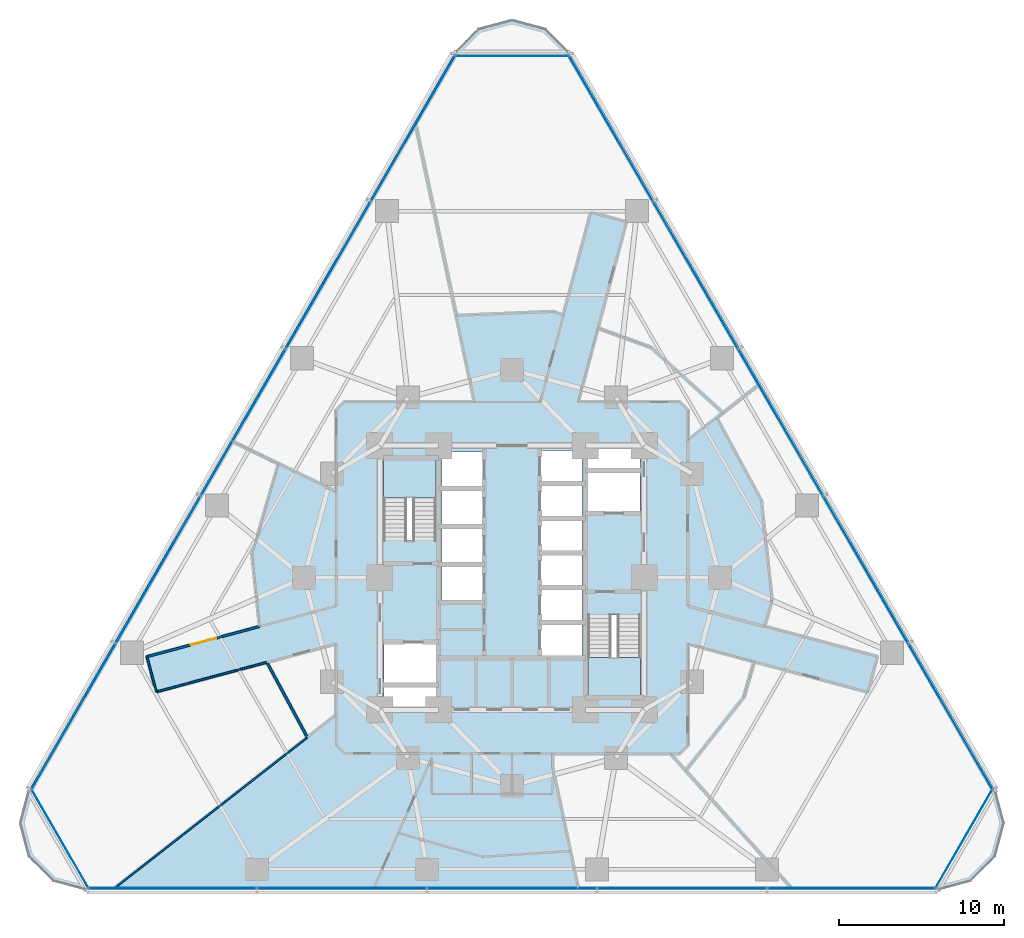
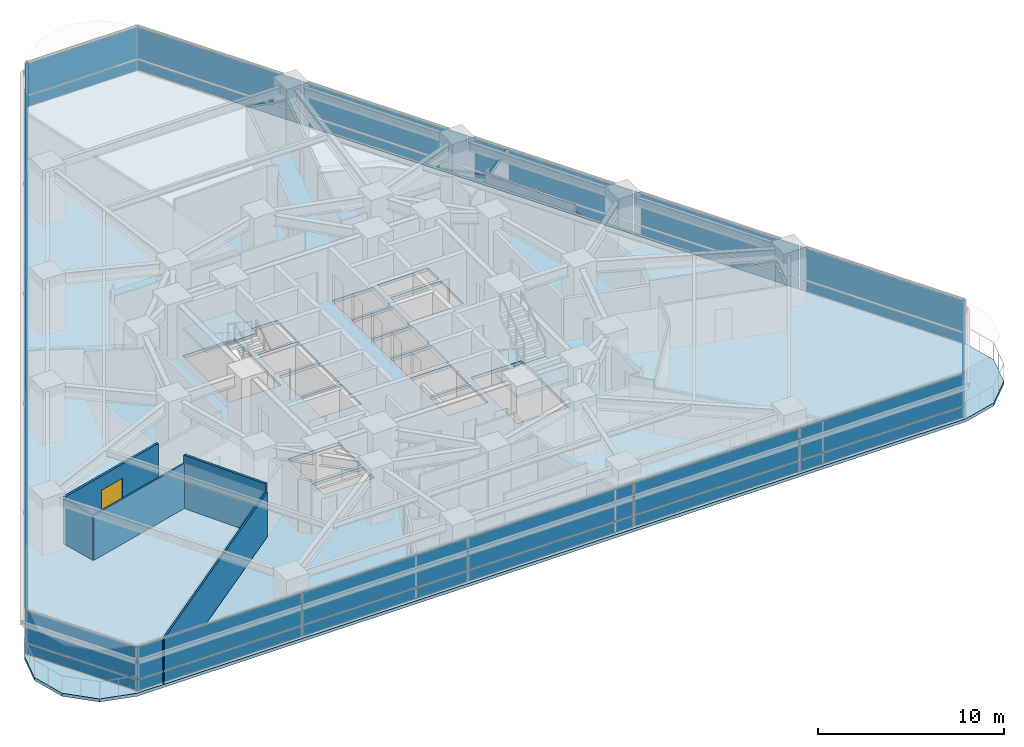
# One storey, part 7 of 15: 36 plates, 5 walls, 3 slabs, 1 door, 1 opening, 8 elements without a shape of their own.
"""IFC4 building model written with IfcOpenShell, lengths in metres."""

from ifc_helpers import new_model, si_unit, direction, frame, frame_2d, origin, origin_2d, place, context, subcontext, project, spatial, polyline, rectangle, outline, extrude, material, layer, layer_set, type_object, element, fill, aggregate, save


model = new_model("IFC4")

# Units and contexts
model_context = context("Model", 3, precision=1e-05, world=origin(), true_north=direction((0.0, 1.0)))
body_context = subcontext(model_context, "Body", "Model", "MODEL_VIEW")
ifc_project = project(units=[si_unit("LENGTHUNIT", "METRE"), si_unit("AREAUNIT", "SQUARE_METRE"), si_unit("VOLUMEUNIT", "CUBIC_METRE"), si_unit("PLANEANGLEUNIT", "RADIAN"), si_unit("MASSUNIT", "GRAM", prefix="KILO")], contexts=[model_context])

# Site, building, storey
site_placement = place(None, origin())
site = spatial("IfcSite", under=ifc_project, at=site_placement, CompositionType="ELEMENT")
building_placement = place(site_placement, origin())
building = spatial("IfcBuilding", under=site, at=building_placement, Name="Terralouvre Media Tower", CompositionType="ELEMENT")
storey_placement = place(building_placement, frame((0.0, 0.0, 48.199951171875)))
storey = spatial("IfcBuildingStorey", under=building, at=storey_placement, Name="L11", CompositionType="ELEMENT", Elevation=48.199951171875)

# Slab
ifc_material_1 = material(Name="Concrete C40/50", Category="concrete")
ifc_layer_1 = layer(ifc_material_1, 0.199951171875, Name="Composite Tower Floor Slab S-TYP200")
ifc_layer_set_1 = layer_set([ifc_layer_1], Name="Concrete C40/50")
slab_type_1 = type_object("IfcSlabType", Name="Composite Tower Floor Slab S-TYP200", PredefinedType="FLOOR", material=ifc_layer_set_1)
slab_1_placement = place(storey_placement, frame((0.0, 0.0, -0.199951171875)))
element("IfcSlab", 1, at=slab_1_placement, inside=storey, type_object=slab_type_1, Name="L11 Structural Floor Slab", PredefinedType="FLOOR", context=body_context, shape_type="SweptSolid", body=[
    extrude(outline(polyline([(-29.25732421875, -12.841796875), (-29.800048828125, -14.86669921875), (-29.25732421875, -16.891845703125), (-27.77490234375, -18.374267578125), (-25.75, -18.916748046875), (25.75, -18.916748046875), (27.77490234375, -18.374267578125), (29.25732421875, -16.891845703125), (29.800048828125, -14.86669921875), (29.25732421875, -12.841796875), (3.50732421875, 31.758544921875), (2.02490234375, 33.240966796875), (0.0, 33.783447265625), (-2.02490234375, 33.240966796875), (-3.50732421875, 31.758544921875), (-29.25732421875, -12.841796875)]), holes=[polyline([(-4.60009765625, -7.800048828125), (-7.75, -7.800048828125), (-7.75, -6.60009765625), (-4.60009765625, -6.60009765625), (-4.60009765625, -7.800048828125)]), polyline([(-4.60009765625, -6.39990234375), (-7.75, -6.39990234375), (-7.75, -3.949951171875), (-4.60009765625, -3.949951171875), (-4.60009765625, -6.39990234375)]), polyline([(-1.75, -1.419921875), (-4.25, -1.419921875), (-4.25, 0.719970703125), (-1.75, 0.719970703125), (-1.75, -1.419921875)]), polyline([(-1.75, 0.8798828125), (-4.25, 0.8798828125), (-4.25, 3.02001953125), (-1.75, 3.02001953125), (-1.75, 0.8798828125)]), polyline([(4.25, 1.580078125), (1.75, 1.580078125), (1.75, 3.52001953125), (4.25, 3.52001953125), (4.25, 1.580078125)]), polyline([(-1.75, 3.179931640625), (-4.25, 3.179931640625), (-4.25, 5.320068359375), (-1.75, 5.320068359375), (-1.75, 3.179931640625)]), polyline([(-4.60009765625, 2.2451171875), (-7.780029296875, 2.2451171875), (-7.780029296875, 7.260009765625), (-4.60009765625, 7.260009765625), (-4.60009765625, 2.2451171875)]), polyline([(-1.75, 5.47998046875), (-4.25, 5.47998046875), (-4.25, 7.6201171875), (-1.75, 7.6201171875), (-1.75, 5.47998046875)]), polyline([(4.60009765625, -2.2451171875), (7.780029296875, -2.2451171875), (7.780029296875, -7.260009765625), (4.60009765625, -7.260009765625), (4.60009765625, -2.2451171875)]), polyline([(4.25, -4.719970703125), (1.75, -4.719970703125), (1.75, -2.780029296875), (4.25, -2.780029296875), (4.25, -4.719970703125)]), polyline([(4.25, -2.6201171875), (1.75, -2.6201171875), (1.75, -0.679931640625), (4.25, -0.679931640625), (4.25, -2.6201171875)]), polyline([(4.25, -0.52001953125), (1.75, -0.52001953125), (1.75, 1.419921875), (4.25, 1.419921875), (4.25, -0.52001953125)]), polyline([(4.25, 3.679931640625), (1.75, 3.679931640625), (1.75, 5.6201171875), (4.25, 5.6201171875), (4.25, 3.679931640625)]), polyline([(7.75, 3.949951171875), (4.60009765625, 3.949951171875), (4.60009765625, 6.39990234375), (7.75, 6.39990234375), (7.75, 3.949951171875)]), polyline([(4.25, 5.780029296875), (1.75, 5.780029296875), (1.75, 7.719970703125), (4.25, 7.719970703125), (4.25, 5.780029296875)]), polyline([(7.75, 6.60009765625), (4.60009765625, 6.60009765625), (4.60009765625, 7.800048828125), (7.75, 7.800048828125), (7.75, 6.60009765625)])]), origin(), (0.0, 0.0, 1.0), 0.199951171875),
])

# Stair, slab
ifc_material_2 = material(Name="Concrete C45/55", Category="concrete")
stair_type_1 = type_object("IfcStairType", Name="Dogleg Stair Assembly ST-01", PredefinedType="HALF_TURN_STAIR", material=ifc_material_2)
stair_1_placement = place(storey_placement, origin())
stair_1 = element("IfcStair", 2, at=stair_1_placement, inside=storey, type_object=stair_type_1, Name="L11 Core Pressurised Exit Stair ST-01", PredefinedType="HALF_TURN_STAIR")
ifc_material_3 = material(Name="Concrete C45/55", Category="concrete")
ifc_layer_2 = layer(ifc_material_3, 0.199951171875, Name="Reinforced Concrete Stair Half-Landing SL-LD1")
ifc_layer_set_2 = layer_set([ifc_layer_2], Name="Concrete C45/55")
slab_type_2 = type_object("IfcSlabType", Name="Reinforced Concrete Stair Half-Landing SL-LD1", PredefinedType="LANDING", material=ifc_layer_set_2)
slab_2_placement = place(storey_placement, frame((0.0, 0.0, 1.650146484375)))
slab_2 = element("IfcSlab", 3, at=slab_2_placement, type_object=slab_type_2, Name="ST-01 landing 1", PredefinedType="LANDING", context=body_context, shape_type="SweptSolid", body=[
    extrude(outline(polyline([(-4.60009765625, 4.820068359375), (-4.60009765625, 7.260009765625), (-7.780029296875, 7.260009765625), (-7.780029296875, 4.820068359375), (-4.60009765625, 4.820068359375)])), origin(), (0.0, 0.0, 1.0), 0.199951171875),
])
aggregate(stair_1, [slab_2])

ifc_material_4 = material(Name="Concrete C45/55", Category="concrete")
stair_type_2 = type_object("IfcStairType", Name="Dogleg Stair Assembly ST-02", PredefinedType="HALF_TURN_STAIR", material=ifc_material_4)
stair_2_placement = place(storey_placement, origin())
stair_2 = element("IfcStair", 4, at=stair_2_placement, inside=storey, type_object=stair_type_2, Name="L11 Core Pressurised Exit Stair ST-02", PredefinedType="HALF_TURN_STAIR")
slab_3_placement = place(storey_placement, frame((0.0, 0.0, 1.650146484375)))
slab_3 = element("IfcSlab", 5, at=slab_3_placement, type_object=slab_type_2, Name="ST-02 landing 1", PredefinedType="LANDING", context=body_context, shape_type="SweptSolid", body=[
    extrude(outline(polyline([(4.60009765625, -4.820068359375), (4.60009765625, -7.260009765625), (7.780029296875, -7.260009765625), (7.780029296875, -4.820068359375), (4.60009765625, -4.820068359375)])), origin(), (0.0, 0.0, 1.0), 0.199951171875),
])
aggregate(stair_2, [slab_3])

# Curtain wall, plates
ifc_material_5 = material(Name="Low-iron laminated double glazing with solar-control coating", Category="glass")
ifc_layer_3 = layer(ifc_material_5, 0.1650390625, Name="Rounded Wind-Corner Curved Glazing CW-04")
ifc_layer_set_3 = layer_set([ifc_layer_3], Name="Low-iron laminated double glazing with solar-control coating")
curtain_wall_type_1 = type_object("IfcCurtainWallType", Name="Rounded Wind-Corner Curved Glazing CW-04", PredefinedType="NOTDEFINED", material=ifc_layer_set_3)
curtain_wall_1_placement = place(storey_placement, origin())
curtain_wall_1 = element("IfcCurtainWall", 6, at=curtain_wall_1_placement, inside=storey, type_object=curtain_wall_type_1, Name="L11 Rounded Wind-Corner Curtain Wall C0", PredefinedType="NOTDEFINED")
ifc_material_6 = material(Name="Low-iron laminated double glazing with solar-control coating", Category="glass")
ifc_layer_4 = layer(ifc_material_6, 0.0400390625, Name="Rounded Corner Laminated Vision Panel CWP-03")
ifc_layer_set_4 = layer_set([ifc_layer_4], Name="Low-iron laminated double glazing with solar-control coating")
plate_type_1 = type_object("IfcPlateType", Name="Rounded Corner Laminated Vision Panel CWP-03", PredefinedType="CURTAIN_PANEL", material=ifc_layer_set_4)
plate_1_placement = place(storey_placement, frame((-27.382568359375, -15.809326171875, 0.074951171875), z_axis=(0.0, 0.0, 1.0), x_axis=(0.499999691503, -0.866025581895, 0.0)))
plate_1 = element("IfcPlate", 7, at=plate_1_placement, type_object=plate_type_1, Name="CW-04 panel 1.1", PredefinedType="CURTAIN_PANEL", context=body_context, shape_type="SweptSolid", body=[
    extrude(rectangle(XDim=6.86474609375, YDim=0.035888671875, at=origin_2d()), origin(), (0.0, 0.0, 1.0), 0.6875),
])
plate_2_placement = place(storey_placement, frame((-27.382568359375, -15.809326171875, 0.837646484375), z_axis=(0.0, 0.0, 1.0), x_axis=(0.499999691503, -0.866025581895, 0.0)))
plate_2 = element("IfcPlate", 8, at=plate_2_placement, type_object=plate_type_1, Name="CW-04 panel 1.2", PredefinedType="CURTAIN_PANEL", context=body_context, shape_type="SweptSolid", body=[
    extrude(rectangle(XDim=6.86474609375, YDim=0.035888671875, at=origin_2d()), origin(), (0.0, 0.0, 1.0), 2.08740234375),
])
aggregate(curtain_wall_1, [plate_1, plate_2])

curtain_wall_2_placement = place(storey_placement, origin())
curtain_wall_2 = element("IfcCurtainWall", 9, at=curtain_wall_2_placement, inside=storey, type_object=curtain_wall_type_1, Name="L11 Rounded Wind-Corner Curtain Wall C1", PredefinedType="NOTDEFINED")
plate_3_placement = place(storey_placement, frame((27.382568359375, -15.809326171875, 0.074951171875), z_axis=(0.0, 0.0, 1.0), x_axis=(0.499999691503, 0.866025581895, 0.0)))
plate_3 = element("IfcPlate", 10, at=plate_3_placement, type_object=plate_type_1, Name="CW-04 panel 1.1", PredefinedType="CURTAIN_PANEL", context=body_context, shape_type="SweptSolid", body=[
    extrude(rectangle(XDim=6.86474609375, YDim=0.035888671875, at=origin_2d()), origin(), (0.0, 0.0, 1.0), 0.6875),
])
plate_4_placement = place(storey_placement, frame((27.382568359375, -15.809326171875, 0.837646484375), z_axis=(0.0, 0.0, 1.0), x_axis=(0.499999691503, 0.866025581895, 0.0)))
plate_4 = element("IfcPlate", 11, at=plate_4_placement, type_object=plate_type_1, Name="CW-04 panel 1.2", PredefinedType="CURTAIN_PANEL", context=body_context, shape_type="SweptSolid", body=[
    extrude(rectangle(XDim=6.86474609375, YDim=0.035888671875, at=origin_2d()), origin(), (0.0, 0.0, 1.0), 2.08740234375),
])
aggregate(curtain_wall_2, [plate_3, plate_4])

curtain_wall_3_placement = place(storey_placement, origin())
curtain_wall_3 = element("IfcCurtainWall", 12, at=curtain_wall_3_placement, inside=storey, type_object=curtain_wall_type_1, Name="L11 Rounded Wind-Corner Curtain Wall C2", PredefinedType="NOTDEFINED")
plate_5_placement = place(storey_placement, frame((0.0, 31.61865234375, 0.074951171875), z_axis=(0.0, 0.0, 1.0), x_axis=(-1.0, 0.0, 0.0)))
plate_5 = element("IfcPlate", 13, at=plate_5_placement, type_object=plate_type_1, Name="CW-04 panel 1.1", PredefinedType="CURTAIN_PANEL", context=body_context, shape_type="SweptSolid", body=[
    extrude(rectangle(XDim=6.86474609375, YDim=0.035888671875, at=origin_2d()), origin(), (0.0, 0.0, 1.0), 0.6875),
])
plate_6_placement = place(storey_placement, frame((0.0, 31.61865234375, 0.837646484375), z_axis=(0.0, 0.0, 1.0), x_axis=(-1.0, 0.0, 0.0)))
plate_6 = element("IfcPlate", 14, at=plate_6_placement, type_object=plate_type_1, Name="CW-04 panel 1.2", PredefinedType="CURTAIN_PANEL", context=body_context, shape_type="SweptSolid", body=[
    extrude(rectangle(XDim=6.86474609375, YDim=0.035888671875, at=origin_2d()), origin(), (0.0, 0.0, 1.0), 2.08740234375),
])
aggregate(curtain_wall_3, [plate_5, plate_6])

ifc_material_7 = material(Name="Low-iron laminated double glazing with solar-control coating", Category="glass")
ifc_layer_5 = layer(ifc_material_7, 0.1650390625, Name="Lower Media Tower Unitised Curtain Wall CW-02")
ifc_layer_set_5 = layer_set([ifc_layer_5], Name="Low-iron laminated double glazing with solar-control coating")
curtain_wall_type_2 = type_object("IfcCurtainWallType", Name="Lower Media Tower Unitised Curtain Wall CW-02", PredefinedType="NOTDEFINED", material=ifc_layer_set_5)
curtain_wall_4_placement = place(storey_placement, origin())
curtain_wall_4 = element("IfcCurtainWall", 15, at=curtain_wall_4_placement, inside=storey, type_object=curtain_wall_type_2, Name="L11 Facade Curtain Wall F0", PredefinedType="NOTDEFINED")
ifc_material_8 = material(Name="Low-iron laminated double glazing with solar-control coating", Category="glass")
ifc_layer_6 = layer(ifc_material_8, 0.035888671875, Name="Vision Double-Glazed Unit CWP-01")
ifc_layer_set_6 = layer_set([ifc_layer_6], Name="Low-iron laminated double glazing with solar-control coating")
plate_type_2 = type_object("IfcPlateType", Name="Vision Double-Glazed Unit CWP-01", PredefinedType="CURTAIN_PANEL", material=ifc_layer_set_6)
plate_7_placement = place(storey_placement, frame((-20.581298828125, -18.796875, 0.074951171875), z_axis=(0.0, 0.0, 1.0), x_axis=(1.0, 0.0, 0.0)))
plate_7 = element("IfcPlate", 16, at=plate_7_placement, type_object=plate_type_2, Name="CW-02 panel 1.1", PredefinedType="CURTAIN_PANEL", context=body_context, shape_type="SweptSolid", body=[
    extrude(rectangle(XDim=10.1875, YDim=0.035888671875, at=origin_2d()), origin(), (0.0, 0.0, 1.0), 0.6875),
])
plate_8_placement = place(storey_placement, frame((-20.581298828125, -18.796875, 0.837646484375), z_axis=(0.0, 0.0, 1.0), x_axis=(1.0, 0.0, 0.0)))
plate_8 = element("IfcPlate", 17, at=plate_8_placement, type_object=plate_type_2, Name="CW-02 panel 1.2", PredefinedType="CURTAIN_PANEL", context=body_context, shape_type="SweptSolid", body=[
    extrude(rectangle(XDim=10.1875, YDim=0.035888671875, at=origin_2d()), origin(), (0.0, 0.0, 1.0), 2.08740234375),
])
plate_9_placement = place(storey_placement, frame((-10.300048828125, -18.796875, 0.074951171875), z_axis=(0.0, 0.0, 1.0), x_axis=(1.0, 0.0, 0.0)))
plate_9 = element("IfcPlate", 18, at=plate_9_placement, type_object=plate_type_2, Name="CW-02 panel 2.1", PredefinedType="CURTAIN_PANEL", context=body_context, shape_type="SweptSolid", body=[
    extrude(rectangle(XDim=10.22509765625, YDim=0.035888671875, at=origin_2d()), origin(), (0.0, 0.0, 1.0), 0.6875),
])
plate_10_placement = place(storey_placement, frame((-10.300048828125, -18.796875, 0.837646484375), z_axis=(0.0, 0.0, 1.0), x_axis=(1.0, 0.0, 0.0)))
plate_10 = element("IfcPlate", 19, at=plate_10_placement, type_object=plate_type_2, Name="CW-02 panel 2.2", PredefinedType="CURTAIN_PANEL", context=body_context, shape_type="SweptSolid", body=[
    extrude(rectangle(XDim=10.22509765625, YDim=0.035888671875, at=origin_2d()), origin(), (0.0, 0.0, 1.0), 2.08740234375),
])
plate_11_placement = place(storey_placement, frame((0.0, -18.796875, 0.074951171875), z_axis=(0.0, 0.0, 1.0), x_axis=(1.0, 0.0, 0.0)))
plate_11 = element("IfcPlate", 20, at=plate_11_placement, type_object=plate_type_2, Name="CW-02 panel 3.1", PredefinedType="CURTAIN_PANEL", context=body_context, shape_type="SweptSolid", body=[
    extrude(rectangle(XDim=10.22509765625, YDim=0.035888671875, at=origin_2d()), origin(), (0.0, 0.0, 1.0), 0.6875),
])
plate_12_placement = place(storey_placement, frame((0.0, -18.796875, 0.837646484375), z_axis=(0.0, 0.0, 1.0), x_axis=(1.0, 0.0, 0.0)))
plate_12 = element("IfcPlate", 21, at=plate_12_placement, type_object=plate_type_2, Name="CW-02 panel 3.2", PredefinedType="CURTAIN_PANEL", context=body_context, shape_type="SweptSolid", body=[
    extrude(rectangle(XDim=10.22509765625, YDim=0.035888671875, at=origin_2d()), origin(), (0.0, 0.0, 1.0), 2.08740234375),
])
plate_13_placement = place(storey_placement, frame((10.300048828125, -18.796875, 0.074951171875), z_axis=(0.0, 0.0, 1.0), x_axis=(1.0, 0.0, 0.0)))
plate_13 = element("IfcPlate", 22, at=plate_13_placement, type_object=plate_type_2, Name="CW-02 panel 4.1", PredefinedType="CURTAIN_PANEL", context=body_context, shape_type="SweptSolid", body=[
    extrude(rectangle(XDim=10.22509765625, YDim=0.035888671875, at=origin_2d()), origin(), (0.0, 0.0, 1.0), 0.6875),
])
plate_14_placement = place(storey_placement, frame((10.300048828125, -18.796875, 0.837646484375), z_axis=(0.0, 0.0, 1.0), x_axis=(1.0, 0.0, 0.0)))
plate_14 = element("IfcPlate", 23, at=plate_14_placement, type_object=plate_type_2, Name="CW-02 panel 4.2", PredefinedType="CURTAIN_PANEL", context=body_context, shape_type="SweptSolid", body=[
    extrude(rectangle(XDim=10.22509765625, YDim=0.035888671875, at=origin_2d()), origin(), (0.0, 0.0, 1.0), 2.08740234375),
])
plate_15_placement = place(storey_placement, frame((20.581298828125, -18.796875, 0.074951171875), z_axis=(0.0, 0.0, 1.0), x_axis=(1.0, 0.0, 0.0)))
plate_15 = element("IfcPlate", 24, at=plate_15_placement, type_object=plate_type_2, Name="CW-02 panel 5.1", PredefinedType="CURTAIN_PANEL", context=body_context, shape_type="SweptSolid", body=[
    extrude(rectangle(XDim=10.1875, YDim=0.035888671875, at=origin_2d()), origin(), (0.0, 0.0, 1.0), 0.6875),
])
plate_16_placement = place(storey_placement, frame((20.581298828125, -18.796875, 0.837646484375), z_axis=(0.0, 0.0, 1.0), x_axis=(1.0, 0.0, 0.0)))
plate_16 = element("IfcPlate", 25, at=plate_16_placement, type_object=plate_type_2, Name="CW-02 panel 5.2", PredefinedType="CURTAIN_PANEL", context=body_context, shape_type="SweptSolid", body=[
    extrude(rectangle(XDim=10.1875, YDim=0.035888671875, at=origin_2d()), origin(), (0.0, 0.0, 1.0), 2.08740234375),
])
aggregate(curtain_wall_4, [plate_7, plate_8, plate_9, plate_10, plate_11, plate_12, plate_13, plate_14, plate_15, plate_16])

curtain_wall_5_placement = place(storey_placement, origin())
curtain_wall_5 = element("IfcCurtainWall", 26, at=curtain_wall_5_placement, inside=storey, type_object=curtain_wall_type_2, Name="L11 Facade Curtain Wall F1", PredefinedType="NOTDEFINED")
plate_17_placement = place(storey_placement, frame((26.569091796875, -8.425537109375, 0.074951171875), z_axis=(0.0, 0.0, 1.0), x_axis=(-0.499999985671, 0.866025412057, 0.0)))
plate_17 = element("IfcPlate", 27, at=plate_17_placement, type_object=plate_type_2, Name="CW-02 panel 1.1", PredefinedType="CURTAIN_PANEL", context=body_context, shape_type="SweptSolid", body=[
    extrude(rectangle(XDim=10.1875, YDim=0.035888671875, at=origin_2d()), origin(), (0.0, 0.0, 1.0), 0.6875),
])
plate_18_placement = place(storey_placement, frame((26.569091796875, -8.425537109375, 0.837646484375), z_axis=(0.0, 0.0, 1.0), x_axis=(-0.499999985671, 0.866025412057, 0.0)))
plate_18 = element("IfcPlate", 28, at=plate_18_placement, type_object=plate_type_2, Name="CW-02 panel 1.2", PredefinedType="CURTAIN_PANEL", context=body_context, shape_type="SweptSolid", body=[
    extrude(rectangle(XDim=10.1875, YDim=0.035888671875, at=origin_2d()), origin(), (0.0, 0.0, 1.0), 2.08740234375),
])
plate_19_placement = place(storey_placement, frame((21.428466796875, 0.478271484375, 0.074951171875), z_axis=(0.0, 0.0, 1.0), x_axis=(-0.499999985671, 0.866025412057, 0.0)))
plate_19 = element("IfcPlate", 29, at=plate_19_placement, type_object=plate_type_2, Name="CW-02 panel 2.1", PredefinedType="CURTAIN_PANEL", context=body_context, shape_type="SweptSolid", body=[
    extrude(rectangle(XDim=10.22509765625, YDim=0.035888671875, at=origin_2d()), origin(), (0.0, 0.0, 1.0), 0.6875),
])
plate_20_placement = place(storey_placement, frame((21.428466796875, 0.478271484375, 0.837646484375), z_axis=(0.0, 0.0, 1.0), x_axis=(-0.499999985671, 0.866025412057, 0.0)))
plate_20 = element("IfcPlate", 30, at=plate_20_placement, type_object=plate_type_2, Name="CW-02 panel 2.2", PredefinedType="CURTAIN_PANEL", context=body_context, shape_type="SweptSolid", body=[
    extrude(rectangle(XDim=10.22509765625, YDim=0.035888671875, at=origin_2d()), origin(), (0.0, 0.0, 1.0), 2.08740234375),
])
plate_21_placement = place(storey_placement, frame((16.278564453125, 9.3984375, 0.074951171875), z_axis=(0.0, 0.0, 1.0), x_axis=(-0.499999985671, 0.866025412057, 0.0)))
plate_21 = element("IfcPlate", 31, at=plate_21_placement, type_object=plate_type_2, Name="CW-02 panel 3.1", PredefinedType="CURTAIN_PANEL", context=body_context, shape_type="SweptSolid", body=[
    extrude(rectangle(XDim=10.22509765625, YDim=0.035888671875, at=origin_2d()), origin(), (0.0, 0.0, 1.0), 0.6875),
])
plate_22_placement = place(storey_placement, frame((16.278564453125, 9.3984375, 0.837646484375), z_axis=(0.0, 0.0, 1.0), x_axis=(-0.499999985671, 0.866025412057, 0.0)))
plate_22 = element("IfcPlate", 32, at=plate_22_placement, type_object=plate_type_2, Name="CW-02 panel 3.2", PredefinedType="CURTAIN_PANEL", context=body_context, shape_type="SweptSolid", body=[
    extrude(rectangle(XDim=10.22509765625, YDim=0.035888671875, at=origin_2d()), origin(), (0.0, 0.0, 1.0), 2.08740234375),
])
plate_23_placement = place(storey_placement, frame((11.12841796875, 18.318359375, 0.074951171875), z_axis=(0.0, 0.0, 1.0), x_axis=(-0.499999985671, 0.866025412057, 0.0)))
plate_23 = element("IfcPlate", 33, at=plate_23_placement, type_object=plate_type_2, Name="CW-02 panel 4.1", PredefinedType="CURTAIN_PANEL", context=body_context, shape_type="SweptSolid", body=[
    extrude(rectangle(XDim=10.22509765625, YDim=0.035888671875, at=origin_2d()), origin(), (0.0, 0.0, 1.0), 0.6875),
])
plate_24_placement = place(storey_placement, frame((11.12841796875, 18.318359375, 0.837646484375), z_axis=(0.0, 0.0, 1.0), x_axis=(-0.499999985671, 0.866025412057, 0.0)))
plate_24 = element("IfcPlate", 34, at=plate_24_placement, type_object=plate_type_2, Name="CW-02 panel 4.2", PredefinedType="CURTAIN_PANEL", context=body_context, shape_type="SweptSolid", body=[
    extrude(rectangle(XDim=10.22509765625, YDim=0.035888671875, at=origin_2d()), origin(), (0.0, 0.0, 1.0), 2.08740234375),
])
plate_25_placement = place(storey_placement, frame((5.98779296875, 27.22216796875, 0.074951171875), z_axis=(0.0, 0.0, 1.0), x_axis=(-0.499999985671, 0.866025412057, 0.0)))
plate_25 = element("IfcPlate", 35, at=plate_25_placement, type_object=plate_type_2, Name="CW-02 panel 5.1", PredefinedType="CURTAIN_PANEL", context=body_context, shape_type="SweptSolid", body=[
    extrude(rectangle(XDim=10.1875, YDim=0.035888671875, at=origin_2d()), origin(), (0.0, 0.0, 1.0), 0.6875),
])
plate_26_placement = place(storey_placement, frame((5.98779296875, 27.22216796875, 0.837646484375), z_axis=(0.0, 0.0, 1.0), x_axis=(-0.499999985671, 0.866025412057, 0.0)))
plate_26 = element("IfcPlate", 36, at=plate_26_placement, type_object=plate_type_2, Name="CW-02 panel 5.2", PredefinedType="CURTAIN_PANEL", context=body_context, shape_type="SweptSolid", body=[
    extrude(rectangle(XDim=10.1875, YDim=0.035888671875, at=origin_2d()), origin(), (0.0, 0.0, 1.0), 2.08740234375),
])
aggregate(curtain_wall_5, [plate_17, plate_18, plate_19, plate_20, plate_21, plate_22, plate_23, plate_24, plate_25, plate_26])

curtain_wall_6_placement = place(storey_placement, origin())
curtain_wall_6 = element("IfcCurtainWall", 37, at=curtain_wall_6_placement, inside=storey, type_object=curtain_wall_type_2, Name="L11 Facade Curtain Wall F2", PredefinedType="NOTDEFINED")
plate_27_placement = place(storey_placement, frame((-5.98779296875, 27.22216796875, 0.074951171875), z_axis=(0.0, 0.0, 1.0), x_axis=(-0.499999985671, -0.866025412057, 0.0)))
plate_27 = element("IfcPlate", 38, at=plate_27_placement, type_object=plate_type_2, Name="CW-02 panel 1.1", PredefinedType="CURTAIN_PANEL", context=body_context, shape_type="SweptSolid", body=[
    extrude(rectangle(XDim=10.1875, YDim=0.035888671875, at=origin_2d()), origin(), (0.0, 0.0, 1.0), 0.6875),
])
plate_28_placement = place(storey_placement, frame((-5.98779296875, 27.22216796875, 0.837646484375), z_axis=(0.0, 0.0, 1.0), x_axis=(-0.499999985671, -0.866025412057, 0.0)))
plate_28 = element("IfcPlate", 39, at=plate_28_placement, type_object=plate_type_2, Name="CW-02 panel 1.2", PredefinedType="CURTAIN_PANEL", context=body_context, shape_type="SweptSolid", body=[
    extrude(rectangle(XDim=10.1875, YDim=0.035888671875, at=origin_2d()), origin(), (0.0, 0.0, 1.0), 2.08740234375),
])
plate_29_placement = place(storey_placement, frame((-11.12841796875, 18.318359375, 0.074951171875), z_axis=(0.0, 0.0, 1.0), x_axis=(-0.499999985671, -0.866025412057, 0.0)))
plate_29 = element("IfcPlate", 40, at=plate_29_placement, type_object=plate_type_2, Name="CW-02 panel 2.1", PredefinedType="CURTAIN_PANEL", context=body_context, shape_type="SweptSolid", body=[
    extrude(rectangle(XDim=10.22509765625, YDim=0.035888671875, at=origin_2d()), origin(), (0.0, 0.0, 1.0), 0.6875),
])
plate_30_placement = place(storey_placement, frame((-11.12841796875, 18.318359375, 0.837646484375), z_axis=(0.0, 0.0, 1.0), x_axis=(-0.499999985671, -0.866025412057, 0.0)))
plate_30 = element("IfcPlate", 41, at=plate_30_placement, type_object=plate_type_2, Name="CW-02 panel 2.2", PredefinedType="CURTAIN_PANEL", context=body_context, shape_type="SweptSolid", body=[
    extrude(rectangle(XDim=10.22509765625, YDim=0.035888671875, at=origin_2d()), origin(), (0.0, 0.0, 1.0), 2.08740234375),
])
plate_31_placement = place(storey_placement, frame((-16.278564453125, 9.3984375, 0.074951171875), z_axis=(0.0, 0.0, 1.0), x_axis=(-0.499999985671, -0.866025412057, 0.0)))
plate_31 = element("IfcPlate", 42, at=plate_31_placement, type_object=plate_type_2, Name="CW-02 panel 3.1", PredefinedType="CURTAIN_PANEL", context=body_context, shape_type="SweptSolid", body=[
    extrude(rectangle(XDim=10.22509765625, YDim=0.035888671875, at=origin_2d()), origin(), (0.0, 0.0, 1.0), 0.6875),
])
plate_32_placement = place(storey_placement, frame((-16.278564453125, 9.3984375, 0.837646484375), z_axis=(0.0, 0.0, 1.0), x_axis=(-0.499999985671, -0.866025412057, 0.0)))
plate_32 = element("IfcPlate", 43, at=plate_32_placement, type_object=plate_type_2, Name="CW-02 panel 3.2", PredefinedType="CURTAIN_PANEL", context=body_context, shape_type="SweptSolid", body=[
    extrude(rectangle(XDim=10.22509765625, YDim=0.035888671875, at=origin_2d()), origin(), (0.0, 0.0, 1.0), 2.08740234375),
])
plate_33_placement = place(storey_placement, frame((-21.428466796875, 0.478271484375, 0.074951171875), z_axis=(0.0, 0.0, 1.0), x_axis=(-0.499999985671, -0.866025412057, 0.0)))
plate_33 = element("IfcPlate", 44, at=plate_33_placement, type_object=plate_type_2, Name="CW-02 panel 4.1", PredefinedType="CURTAIN_PANEL", context=body_context, shape_type="SweptSolid", body=[
    extrude(rectangle(XDim=10.22509765625, YDim=0.035888671875, at=origin_2d()), origin(), (0.0, 0.0, 1.0), 0.6875),
])
plate_34_placement = place(storey_placement, frame((-21.428466796875, 0.478271484375, 0.837646484375), z_axis=(0.0, 0.0, 1.0), x_axis=(-0.499999985671, -0.866025412057, 0.0)))
plate_34 = element("IfcPlate", 45, at=plate_34_placement, type_object=plate_type_2, Name="CW-02 panel 4.2", PredefinedType="CURTAIN_PANEL", context=body_context, shape_type="SweptSolid", body=[
    extrude(rectangle(XDim=10.22509765625, YDim=0.035888671875, at=origin_2d()), origin(), (0.0, 0.0, 1.0), 2.08740234375),
])
plate_35_placement = place(storey_placement, frame((-26.569091796875, -8.425537109375, 0.074951171875), z_axis=(0.0, 0.0, 1.0), x_axis=(-0.499999985671, -0.866025412057, 0.0)))
plate_35 = element("IfcPlate", 46, at=plate_35_placement, type_object=plate_type_2, Name="CW-02 panel 5.1", PredefinedType="CURTAIN_PANEL", context=body_context, shape_type="SweptSolid", body=[
    extrude(rectangle(XDim=10.1875, YDim=0.035888671875, at=origin_2d()), origin(), (0.0, 0.0, 1.0), 0.6875),
])
plate_36_placement = place(storey_placement, frame((-26.569091796875, -8.425537109375, 0.837646484375), z_axis=(0.0, 0.0, 1.0), x_axis=(-0.499999985671, -0.866025412057, 0.0)))
plate_36 = element("IfcPlate", 47, at=plate_36_placement, type_object=plate_type_2, Name="CW-02 panel 5.2", PredefinedType="CURTAIN_PANEL", context=body_context, shape_type="SweptSolid", body=[
    extrude(rectangle(XDim=10.1875, YDim=0.035888671875, at=origin_2d()), origin(), (0.0, 0.0, 1.0), 2.08740234375),
])
aggregate(curtain_wall_6, [plate_27, plate_28, plate_29, plate_30, plate_31, plate_32, plate_33, plate_34, plate_35, plate_36])

# Walls
ifc_material_9 = material(Name="Low-iron laminated double glazing with solar-control coating", Category="glass")
ifc_layer_7 = layer(ifc_material_9, 0.10009765625, Name="Demountable Glazed Office Partition PT-GL100")
ifc_layer_set_7 = layer_set([ifc_layer_7], Name="Low-iron laminated double glazing with solar-control coating")
wall_type_1 = type_object("IfcWallType", Name="Demountable Glazed Office Partition PT-GL100", PredefinedType="MOVABLE", material=ifc_layer_set_7)
wall_1_placement = place(storey_placement, frame((-22.114990234375, -4.787109375, 0.0), z_axis=(0.0, 0.0, 1.0), x_axis=(0.259105843213, -0.965848933329, 0.0)))
element("IfcWall", 48, at=wall_1_placement, inside=storey, type_object=wall_type_1, Name="L11 Interior Partition 020", PredefinedType="MOVABLE", context=body_context, shape_type="SweptSolid", body=[
    extrude(rectangle(XDim=2.2001953125, YDim=0.10009765625, at=frame_2d((1.10009765625, 0.0))), origin(), (0.0, 0.0, 1.0), 2.93505859375),
])
wall_2_placement = place(storey_placement, frame((-21.544921875, -6.912109375, 0.0), z_axis=(0.0, 0.0, 1.0), x_axis=(0.965904958487, 0.258896912245, 0.0)))
element("IfcWall", 49, at=wall_2_placement, inside=storey, type_object=wall_type_1, Name="L11 Interior Partition 021", PredefinedType="MOVABLE", context=body_context, shape_type="SweptSolid", body=[
    extrude(rectangle(XDim=6.93017578125, YDim=0.10009765625, at=frame_2d((3.465087890625, 0.0))), origin(), (0.0, 0.0, 1.0), 2.93505859375),
])
wall_3_placement = place(storey_placement, frame((-24.10986328125, -18.8369140625, 0.0), z_axis=(0.0, 0.0, 1.0), x_axis=(0.788000479848, 0.615674624911, 0.0)))
element("IfcWall", 50, at=wall_3_placement, inside=storey, type_object=wall_type_1, Name="L11 Interior Partition 056", PredefinedType="MOVABLE", context=body_context, shape_type="SweptSolid", body=[
    extrude(rectangle(XDim=14.87158203125, YDim=0.10009765625, at=frame_2d((7.435791015625, 0.0))), origin(), (0.0, 0.0, 1.0), 2.93505859375),
])

# Wall, opening, door
ifc_material_10 = material(Name="Fire-rated gypsum board drywall partition")
ifc_layer_8 = layer(ifc_material_10, 0.135009765625, Name="Newsroom Acoustic Partition PT-135")
ifc_layer_set_8 = layer_set([ifc_layer_8], Name="Fire-rated gypsum board drywall partition")
wall_type_2 = type_object("IfcWallType", Name="Newsroom Acoustic Partition PT-135", PredefinedType="PARTITIONING", material=ifc_layer_set_8)
wall_4_placement = place(storey_placement, frame((-15.27587890625, -2.9541015625, 0.0), z_axis=(0.0, 0.0, 1.0), x_axis=(-0.965909107385, -0.258881432844, 0.0)))
wall_4 = element("IfcWall", 51, at=wall_4_placement, inside=storey, type_object=wall_type_2, Name="L11 Interior Partition 019", PredefinedType="PARTITIONING", context=body_context, shape_type="SweptSolid", body=[
    extrude(rectangle(XDim=7.08056640625, YDim=0.135009765625, at=frame_2d((3.540283203125, 0.0))), origin(), (0.0, 0.0, 1.0), 3.0849609375),
])
opening_placement = place(wall_4_placement, frame((2.740234375, 0.0, 0.0)))
opening = element("IfcOpeningElement", 52, at=opening_placement, cuts=wall_4, Name="Opening ID-04-160X215", PredefinedType="OPENING", context=body_context, shape_type="SweptSolid", body=[
    extrude(rectangle(XDim=1.60009765625, YDim=2.14990234375, at=frame_2d((0.800048828125, 1.074951171875))), frame((0.0, 0.077392578125, 0.0), z_axis=(0.0, -1.0, 0.0), x_axis=(1.0, 0.0, 0.0)), (0.0, 0.0, 1.0), 0.155029296875),
])
ifc_material_11 = material(Name="Engineered hardwood acoustic timber leaf", Category="wood")
door_type = type_object("IfcDoorType", Name="Conference Double Acoustic Door ID-04 (1600x2150)", OperationType="DOUBLE_DOOR_SINGLE_SWING", PredefinedType="DOOR", material=ifc_material_11)
door_placement = place(opening_placement, origin())
door = element("IfcDoor", 53, at=door_placement, inside=storey, type_object=door_type, Name="L11 Student Project Breakout Room 7 Door", OperationType="DOUBLE_DOOR_SINGLE_SWING", OverallHeight=2.14990234375, OverallWidth=1.60009765625, PredefinedType="DOOR", context=body_context, shape_type="SweptSolid", body=[
    extrude(rectangle(XDim=1.60009765625, YDim=2.14990234375, at=frame_2d((0.800048828125, 1.074951171875))), frame((0.0, 0.02490234375, 0.0), z_axis=(0.0, -1.0, 0.0), x_axis=(1.0, 0.0, 0.0)), (0.0, 0.0, 1.0), 0.050048828125),
])
fill(opening, door)

# Wall
wall_5_placement = place(storey_placement, frame((-14.85107421875, -5.117919921875, 0.0), z_axis=(0.0, 0.0, 1.0), x_axis=(0.474543506137, -0.880232049395, 0.0)))
element("IfcWall", 54, at=wall_5_placement, inside=storey, type_object=wall_type_2, Name="L11 Interior Partition 043", PredefinedType="PARTITIONING", context=body_context, shape_type="SweptSolid", body=[
    extrude(rectangle(XDim=5.183837890625, YDim=0.135009765625, at=frame_2d((2.591796875, 0.0))), origin(), (0.0, 0.0, 1.0), 3.5),
])

save(model, "model.ifc")
